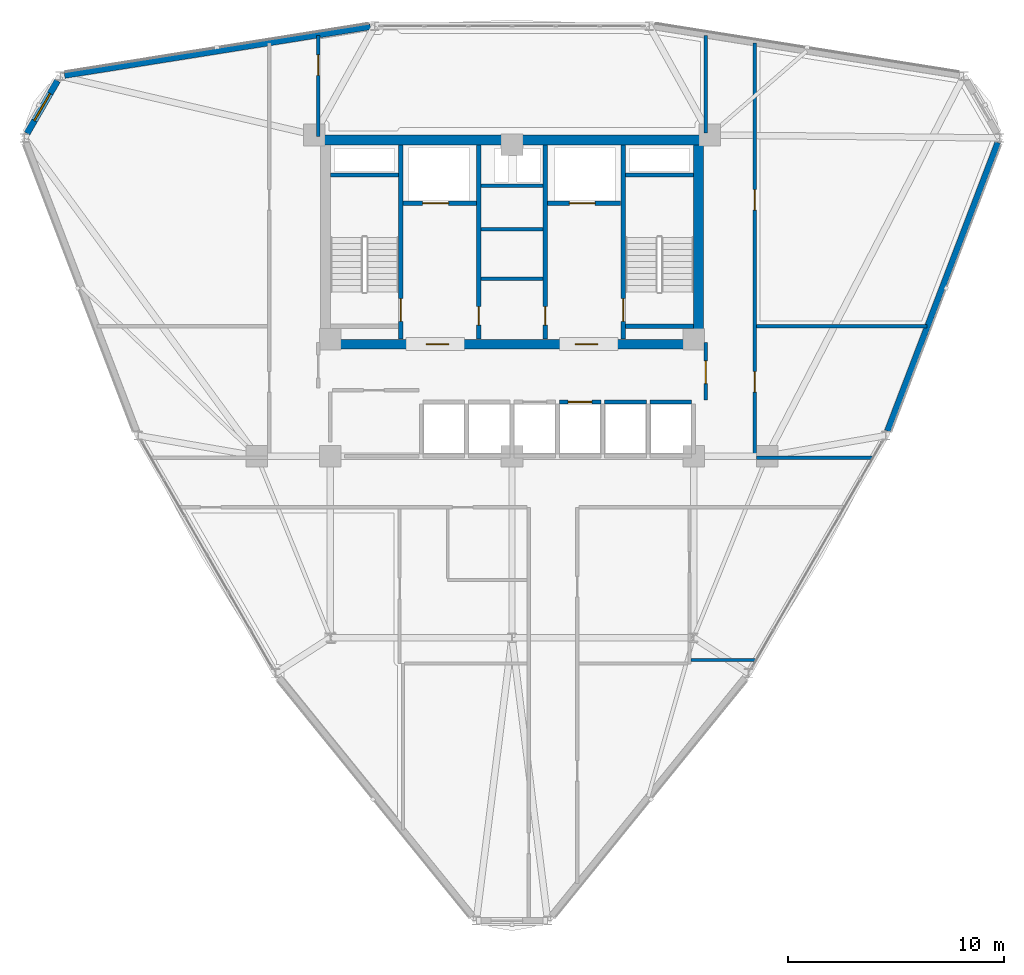
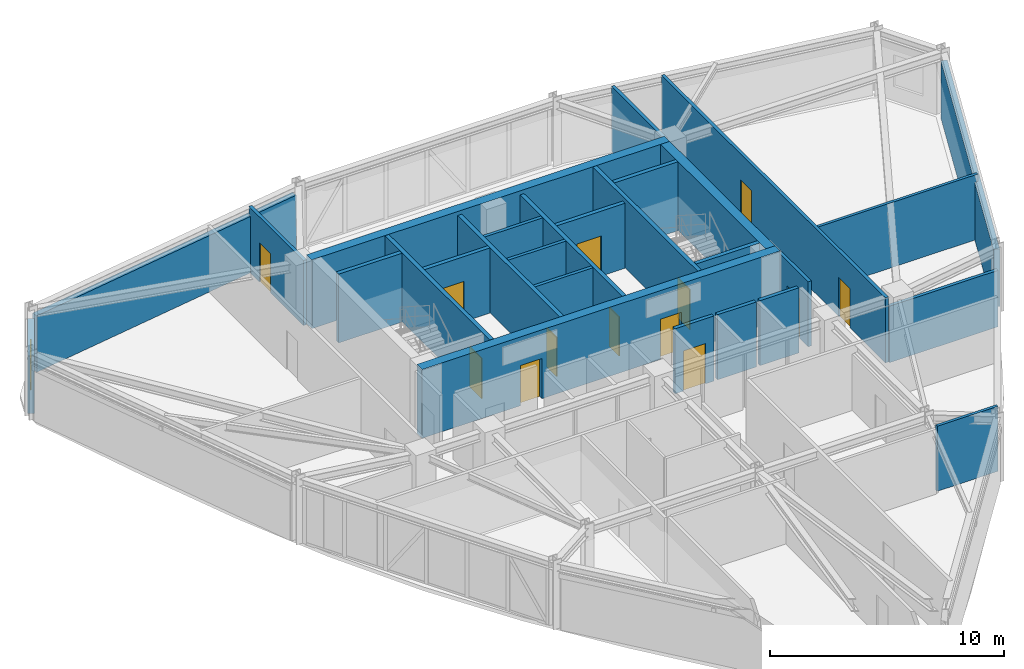
# One storey, part 11 of 14: 28 walls, 13 doors, 1 window, 14 openings.
"""IFC4 building model written with IfcOpenShell, lengths in metres."""

from ifc_helpers import new_model, si_unit, derived_unit, direction, frame, frame_2d, origin, place, context, subcontext, project, spatial, rectangle, extrude, material, layer, layer_set, type_object, element, fill, save


model = new_model("IFC4")

# Units and contexts
model_context = context("Model", 3, precision=1e-05, world=origin(), true_north=direction((0.0, 1.0)))
body_context = subcontext(model_context, "Body", "Model", "MODEL_VIEW")
ifc_project = project(units=[si_unit("LENGTHUNIT", "METRE"), si_unit("AREAUNIT", "SQUARE_METRE"), si_unit("VOLUMEUNIT", "CUBIC_METRE"), si_unit("PLANEANGLEUNIT", "RADIAN"), si_unit("MASSUNIT", "GRAM", prefix="KILO"), derived_unit("THERMALTRANSMITTANCEUNIT", [(si_unit("POWERUNIT", "WATT"), 1), (si_unit("LENGTHUNIT", "METRE"), -2), (si_unit("THERMODYNAMICTEMPERATUREUNIT", "KELVIN"), -1)])], contexts=[model_context])

# Site, building, storey
site_placement = place(None, origin())
site = spatial("IfcSite", under=ifc_project, at=site_placement, CompositionType="ELEMENT")
building_placement = place(site_placement, origin())
building = spatial("IfcBuilding", under=site, at=building_placement, Name="Korsvarv Bourse and Concert Hall", CompositionType="ELEMENT")
storey_placement = place(building_placement, frame((0.0, 0.0, 172.199951171875)))
storey = spatial("IfcBuildingStorey", under=building, at=storey_placement, Name="L44", CompositionType="ELEMENT", Elevation=172.199951171875)

# Wall, opening, door
ifc_material_1 = material(Name="Concrete C50/60", Category="concrete")
ifc_layer_1 = layer(ifc_material_1, 0.3798828125)
ifc_layer_set_1 = layer_set([ifc_layer_1], Name="Concrete C50/60")
wall_type_1 = type_object("IfcWallType", Name="WL-CORE-380", PredefinedType="SHEAR", material=ifc_layer_set_1)
wall_1_placement = place(storey_placement, frame((30.860107421875, 37.81005859375, 0.0), z_axis=(0.0, 0.0, 1.0), x_axis=(0.0, 1.0, 0.0)))
wall_1 = element("IfcWall", 1, at=wall_1_placement, inside=storey, type_object=wall_type_1, Name="L44 stair shaft structural wall W-L44-ST1-E", PredefinedType="SHEAR", context=body_context, shape_type="SweptSolid", body=[
    extrude(rectangle(XDim=8.97998046875, YDim=0.199951171875, at=frame_2d((4.489990234375, 0.0))), origin(), (0.0, 0.0, 1.0), 3.60009765625),
])
opening_1_placement = place(wall_1_placement, frame((0.820068359375, 0.0, 0.0)))
opening_1 = element("IfcOpeningElement", 2, at=opening_1_placement, cuts=wall_1, Name="Opening D-01", PredefinedType="OPENING", context=body_context, shape_type="SweptSolid", body=[
    extrude(rectangle(XDim=1.050048828125, YDim=2.10009765625, at=frame_2d((0.52490234375, 1.050048828125))), frame((0.0, 0.10986328125, 0.0), z_axis=(0.0, -1.0, 0.0), x_axis=(1.0, 0.0, 0.0)), (0.0, 0.0, 1.0), 0.219970703125),
])
ifc_material_2 = material(Name="Steel S355 fire door", Category="steel")
door_type_1 = type_object("IfcDoorType", Name="DR-FD60", OperationType="NOTDEFINED", PredefinedType="DOOR", material=ifc_material_2)
door_1_placement = place(opening_1_placement, origin())
door_1 = element("IfcDoor", 3, at=door_1_placement, inside=storey, type_object=door_type_1, Name="L44 interior door DR-L44-ST1", OperationType="SINGLE_SWING_LEFT", OverallHeight=2.10009765625, OverallWidth=1.050048828125, PredefinedType="DOOR", context=body_context, shape_type="SweptSolid", body=[
    extrude(rectangle(XDim=1.050048828125, YDim=2.10009765625, at=frame_2d((0.52490234375, 1.050048828125))), frame((0.0, 0.02490234375, 0.0), z_axis=(0.0, -1.0, 0.0), x_axis=(1.0, 0.0, 0.0)), (0.0, 0.0, 1.0), 0.050048828125),
])
fill(opening_1, door_1)

# Wall
wall_2_placement = place(storey_placement, frame((27.610107421875, 45.39990234375, 0.0), z_axis=(0.0, 0.0, 1.0), x_axis=(1.0, 0.0, 0.0)))
element("IfcWall", 4, at=wall_2_placement, inside=storey, type_object=wall_type_1, Name="L44 stair shaft structural wall W-L44-ST1-N", PredefinedType="SHEAR", context=body_context, shape_type="SweptSolid", body=[
    extrude(rectangle(XDim=3.139892578125, YDim=0.199951171875, at=frame_2d((1.56982421875, 0.0))), origin(), (0.0, 0.0, 1.0), 3.60009765625),
])

# Wall, opening, door
wall_3_placement = place(storey_placement, frame((41.139892578125, 37.81005859375, 0.0), z_axis=(0.0, 0.0, 1.0), x_axis=(0.0, 1.0, 0.0)))
wall_3 = element("IfcWall", 5, at=wall_3_placement, inside=storey, type_object=wall_type_1, Name="L44 stair shaft structural wall W-L44-ST2-W", PredefinedType="SHEAR", context=body_context, shape_type="SweptSolid", body=[
    extrude(rectangle(XDim=8.97998046875, YDim=0.199951171875, at=frame_2d((4.489990234375, 0.0))), origin(), (0.0, 0.0, 1.0), 3.60009765625),
])
opening_2_placement = place(wall_3_placement, frame((0.820068359375, 0.0, 0.0)))
opening_2 = element("IfcOpeningElement", 6, at=opening_2_placement, cuts=wall_3, Name="Opening D-01", PredefinedType="OPENING", context=body_context, shape_type="SweptSolid", body=[
    extrude(rectangle(XDim=1.050048828125, YDim=2.10009765625, at=frame_2d((0.52490234375, 1.050048828125))), frame((0.0, 0.10986328125, 0.0), z_axis=(0.0, -1.0, 0.0), x_axis=(1.0, 0.0, 0.0)), (0.0, 0.0, 1.0), 0.219970703125),
])
door_2_placement = place(opening_2_placement, frame((1.050048828125, 0.0, 0.0), z_axis=(0.0, 0.0, 1.0), x_axis=(-1.0, 0.0, 0.0)))
door_2 = element("IfcDoor", 7, at=door_2_placement, inside=storey, type_object=door_type_1, Name="L44 interior door DR-L44-ST2", OperationType="SINGLE_SWING_RIGHT", OverallHeight=2.10009765625, OverallWidth=1.050048828125, PredefinedType="DOOR", context=body_context, shape_type="SweptSolid", body=[
    extrude(rectangle(XDim=1.050048828125, YDim=2.10009765625, at=frame_2d((0.52490234375, 1.050048828125))), frame((0.0, 0.02490234375, 0.0), z_axis=(0.0, -1.0, 0.0), x_axis=(1.0, 0.0, 0.0)), (0.0, 0.0, 1.0), 0.050048828125),
])
fill(opening_2, door_2)

# Walls
for number, where, z_axis, x_axis, name in (
    (8, (41.25, 45.39990234375, 0.0), (0.0, 0.0, 1.0), (1.0, 0.0, 0.0), "L44 stair shaft structural wall W-L44-ST2-N"),
    (9, (41.25, 38.39990234375, 0.0), (0.0, 0.0, 1.0), (1.0, 0.0, 0.0), "L44 stair shaft structural wall W-L44-ST2-S"),
):
    element("IfcWall", number, at=place(storey_placement, frame(where, z_axis=z_axis, x_axis=x_axis)), inside=storey, type_object=wall_type_1, Name=name, PredefinedType="SHEAR", context=body_context, shape_type="SweptSolid", body=[
        extrude(rectangle(XDim=3.139892578125, YDim=0.199951171875, at=frame_2d((1.56982421875, 0.0))), origin(), (0.0, 0.0, 1.0), 3.60009765625),
    ])
ifc_material_3 = material(Name="Concrete C55/67", Category="concrete")
ifc_layer_2 = layer(ifc_material_3, 0.449951171875)
ifc_layer_set_2 = layer_set([ifc_layer_2], Name="Concrete C55/67")
wall_type_2 = type_object("IfcWallType", Name="WL-CORE-450", PredefinedType="SHEAR", material=ifc_layer_set_2)
wall_4_placement = place(storey_placement, frame((27.14990234375, 47.02490234375, 0.0), z_axis=(0.0, 0.0, 1.0), x_axis=(1.0, 0.0, 0.0)))
element("IfcWall", 10, at=wall_4_placement, inside=storey, type_object=wall_type_2, Name="L44 North Core Shear Wall", PredefinedType="SHEAR", context=body_context, shape_type="SweptSolid", body=[
    extrude(rectangle(XDim=17.7001953125, YDim=0.449951171875, at=frame_2d((8.85009765625, 0.0))), origin(), (0.0, 0.0, 1.0), 3.60009765625),
])

# Wall, openings, doors
wall_5_placement = place(storey_placement, frame((27.14990234375, 37.574951171875, 0.0), z_axis=(0.0, 0.0, 1.0), x_axis=(1.0, 0.0, 0.0)))
wall_5 = element("IfcWall", 11, at=wall_5_placement, inside=storey, type_object=wall_type_2, Name="L44 South Core Shear Wall", PredefinedType="SHEAR", context=body_context, shape_type="SweptSolid", body=[
    extrude(rectangle(XDim=17.7001953125, YDim=0.449951171875, at=frame_2d((8.85009765625, 0.0))), origin(), (0.0, 0.0, 1.0), 3.60009765625),
])
opening_3_placement = place(wall_5_placement, frame((4.875, 0.0, 0.0)))
opening_3 = element("IfcOpeningElement", 12, at=opening_3_placement, cuts=wall_5, Name="Opening D-01", PredefinedType="OPENING", context=body_context, shape_type="SweptSolid", body=[
    extrude(rectangle(XDim=1.050048828125, YDim=2.10009765625, at=frame_2d((0.52490234375, 1.050048828125))), frame((0.0, 0.23486328125, 0.0), z_axis=(0.0, -1.0, 0.0), x_axis=(1.0, 0.0, 0.0)), (0.0, 0.0, 1.0), 0.469970703125),
])
opening_4_placement = place(wall_5_placement, frame((11.77490234375, 0.0, 0.0)))
opening_4 = element("IfcOpeningElement", 13, at=opening_4_placement, cuts=wall_5, Name="Opening D-01", PredefinedType="OPENING", context=body_context, shape_type="SweptSolid", body=[
    extrude(rectangle(XDim=1.050048828125, YDim=2.10009765625, at=frame_2d((0.52490234375, 1.050048828125))), frame((0.0, 0.23486328125, 0.0), z_axis=(0.0, -1.0, 0.0), x_axis=(1.0, 0.0, 0.0)), (0.0, 0.0, 1.0), 0.469970703125),
])
door_3_placement = place(opening_3_placement, frame((1.050048828125, 0.0, 0.0), z_axis=(0.0, 0.0, 1.0), x_axis=(-1.0, 0.0, 0.0)))
door_3 = element("IfcDoor", 14, at=door_3_placement, inside=storey, type_object=door_type_1, Name="L44 firefighting lobby fire door DR-L44-FFLW", OperationType="SINGLE_SWING_RIGHT", OverallHeight=2.10009765625, OverallWidth=1.050048828125, PredefinedType="DOOR", context=body_context, shape_type="SweptSolid", body=[
    extrude(rectangle(XDim=1.050048828125, YDim=2.10009765625, at=frame_2d((0.52490234375, 1.050048828125))), frame((0.0, 0.02490234375, 0.0), z_axis=(0.0, -1.0, 0.0), x_axis=(1.0, 0.0, 0.0)), (0.0, 0.0, 1.0), 0.050048828125),
])
fill(opening_3, door_3)
door_4_placement = place(opening_4_placement, frame((1.050048828125, 0.0, 0.0), z_axis=(0.0, 0.0, 1.0), x_axis=(-1.0, 0.0, 0.0)))
door_4 = element("IfcDoor", 15, at=door_4_placement, inside=storey, type_object=door_type_1, Name="L44 firefighting lobby fire door DR-L44-FFLE", OperationType="SINGLE_SWING_LEFT", OverallHeight=2.10009765625, OverallWidth=1.050048828125, PredefinedType="DOOR", context=body_context, shape_type="SweptSolid", body=[
    extrude(rectangle(XDim=1.050048828125, YDim=2.10009765625, at=frame_2d((0.52490234375, 1.050048828125))), frame((0.0, 0.02490234375, 0.0), z_axis=(0.0, -1.0, 0.0), x_axis=(1.0, 0.0, 0.0)), (0.0, 0.0, 1.0), 0.050048828125),
])
fill(opening_4, door_4)

# Wall
wall_6_placement = place(storey_placement, frame((44.625, 37.800048828125, 0.0), z_axis=(0.0, 0.0, 1.0), x_axis=(0.0, 1.0, 0.0)))
element("IfcWall", 16, at=wall_6_placement, inside=storey, type_object=wall_type_2, Name="L44 East Core Shear Wall", PredefinedType="SHEAR", context=body_context, shape_type="SweptSolid", body=[
    extrude(rectangle(XDim=9.0, YDim=0.449951171875, at=frame_2d((4.5, 0.0))), origin(), (0.0, 0.0, 1.0), 3.60009765625),
])

# Wall, opening, window
ifc_material_4 = material(Name="Precast concrete C45/55 with terracotta rainscreen", Category="concrete")
ifc_layer_3 = layer(ifc_material_4, 0.300048828125)
ifc_layer_set_3 = layer_set([ifc_layer_3], Name="Precast concrete C45/55 with terracotta rainscreen")
wall_type_3 = type_object("IfcWallType", Name="WL-EXT-TC1", PredefinedType="SOLIDWALL", material=ifc_layer_set_3)
wall_7_placement = place(storey_placement, frame((14.974609375, 49.761962890625, 0.0), z_axis=(0.0, 0.0, 1.0), x_axis=(-0.499978056798, -0.866038072327, 0.0)))
wall_7 = element("IfcWall", 17, at=wall_7_placement, inside=storey, type_object=wall_type_3, Name="L44 terracotta exterior wall EW-L44-B05", PredefinedType="SOLIDWALL", context=body_context, shape_type="SweptSolid", body=[
    extrude(rectangle(XDim=2.811279296875, YDim=0.300048828125, at=frame_2d((1.40576171875, 0.0))), origin(), (0.0, 0.0, 1.0), 3.010009765625),
])
opening_5_placement = place(wall_7_placement, frame((0.6806640625, 0.0, 0.75)))
opening_5 = element("IfcOpeningElement", 18, at=opening_5_placement, cuts=wall_7, Name="Opening W-02", PredefinedType="OPENING", context=body_context, shape_type="SweptSolid", body=[
    extrude(rectangle(XDim=1.449951171875, YDim=1.64990234375, at=frame_2d((0.72509765625, 0.824951171875))), frame((0.0, 0.16015625, 0.0), z_axis=(0.0, -1.0, 0.0), x_axis=(1.0, 0.0, 0.0)), (0.0, 0.0, 1.0), 0.320068359375),
])
ifc_material_5 = material(Name="Thermally broken aluminium frame with triple low-E glass", Category="glass")
window_type = type_object("IfcWindowType", Name="WIN-TW2", PartitioningType="SINGLE_PANEL", PredefinedType="WINDOW", material=ifc_material_5)
window_placement = place(opening_5_placement, origin())
window = element("IfcWindow", 19, at=window_placement, inside=storey, type_object=window_type, Name="L44 punched facade window W-02", OverallHeight=1.64990234375, OverallWidth=1.449951171875, PartitioningType="SINGLE_PANEL", PredefinedType="WINDOW", context=body_context, shape_type="SweptSolid", body=[
    extrude(rectangle(XDim=1.449951171875, YDim=1.64990234375, at=frame_2d((0.72509765625, 0.824951171875))), frame((0.0, 0.030029296875, 0.0), z_axis=(0.0, -1.0, 0.0), x_axis=(1.0, 0.0, 0.0)), (0.0, 0.0, 1.0), 0.06005859375),
])
fill(opening_5, window)

# Walls
ifc_material_6 = material(Name="Precast concrete C45/55 with fluted terracotta pier", Category="concrete")
ifc_layer_4 = layer(ifc_material_6, 0.280029296875)
ifc_layer_set_4 = layer_set([ifc_layer_4], Name="Precast concrete C45/55 with fluted terracotta pier")
wall_type_4 = type_object("IfcWallType", Name="WL-EXT-TC2", PredefinedType="SOLIDWALL", material=ifc_layer_set_4)
wall_8_placement = place(storey_placement, frame((29.446044921875, 52.2626953125, 0.0), z_axis=(0.0, 0.0, 1.0), x_axis=(-0.987528363291, -0.157441200757, 0.0)))
element("IfcWall", 20, at=wall_8_placement, inside=storey, type_object=wall_type_4, Name="L44 terracotta exterior wall EW-L44-B04", PredefinedType="SOLIDWALL", context=body_context, shape_type="SweptSolid", body=[
    extrude(rectangle(XDim=14.31884765625, YDim=0.280029296875, at=frame_2d((7.159423828125, 0.0))), origin(), (0.0, 0.0, 1.0), 2.949951171875),
])
wall_9_placement = place(storey_placement, frame((53.3671875, 33.560791015625, 0.0), z_axis=(0.0, 0.0, 1.0), x_axis=(0.357407179744, 0.933948664471, 0.0)))
element("IfcWall", 21, at=wall_9_placement, inside=storey, type_object=wall_type_4, Name="L44 terracotta exterior wall EW-L44-B12", PredefinedType="SOLIDWALL", context=body_context, shape_type="SweptSolid", body=[
    extrude(rectangle(XDim=14.283935546875, YDim=0.280029296875, at=frame_2d((7.14208984375, 0.0))), origin(), (0.0, 0.0, 1.0), 3.010009765625),
])

# Wall, opening, door
ifc_material_7 = material(Name="Reinforced concrete blockwork C35/45 fire wall", Category="concrete")
ifc_layer_5 = layer(ifc_material_7, 0.199951171875)
ifc_layer_set_5 = layer_set([ifc_layer_5], Name="Reinforced concrete blockwork C35/45 fire wall")
wall_type_5 = type_object("IfcWallType", Name="WL-INT-EI120", PredefinedType="PARTITIONING", material=ifc_layer_set_5)
wall_10_placement = place(storey_placement, frame((30.969970703125, 44.10009765625, 0.0), z_axis=(0.0, 0.0, 1.0), x_axis=(1.0, 0.0, 0.0)))
wall_10 = element("IfcWall", 22, at=wall_10_placement, inside=storey, type_object=wall_type_5, Name="L44 interior partition wall W-L44-FF1-S", PredefinedType="PARTITIONING", context=body_context, shape_type="SweptSolid", body=[
    extrude(rectangle(XDim=3.380126953125, YDim=0.199951171875, at=frame_2d((1.68994140625, 0.0))), origin(), (0.0, 0.0, 1.0), 3.400146484375),
])
opening_6_placement = place(wall_10_placement, frame((0.89990234375, 0.0, 0.0)))
opening_6 = element("IfcOpeningElement", 23, at=opening_6_placement, cuts=wall_10, Name="Opening LD-1", PredefinedType="OPENING", context=body_context, shape_type="SweptSolid", body=[
    extrude(rectangle(XDim=1.199951171875, YDim=2.10009765625, at=frame_2d((0.60009765625, 1.050048828125))), frame((0.0, 0.10986328125, 0.0), z_axis=(0.0, -1.0, 0.0), x_axis=(1.0, 0.0, 0.0)), (0.0, 0.0, 1.0), 0.219970703125),
])
ifc_material_8 = material(Name="Stainless Steel S355 firefighting lift landing door", Category="steel")
door_type_2 = type_object("IfcDoorType", Name="DR-LIFT-FF", OperationType="DOUBLE_DOOR_SLIDING", PredefinedType="DOOR", material=ifc_material_8)
door_5_placement = place(opening_6_placement, origin())
door_5 = element("IfcDoor", 24, at=door_5_placement, inside=storey, type_object=door_type_2, Name="L44 lift sliding landing door LD-L44-FF1", OperationType="DOUBLE_DOOR_SLIDING", OverallHeight=2.10009765625, OverallWidth=1.199951171875, PredefinedType="DOOR", context=body_context, shape_type="SweptSolid", body=[
    extrude(rectangle(XDim=1.199951171875, YDim=2.10009765625, at=frame_2d((0.60009765625, 1.050048828125))), frame((0.0, 0.02490234375, 0.0), z_axis=(0.0, -1.0, 0.0), x_axis=(1.0, 0.0, 0.0)), (0.0, 0.0, 1.0), 0.050048828125),
])
fill(opening_6, door_5)

wall_11_placement = place(storey_placement, frame((37.64990234375, 44.10009765625, 0.0), z_axis=(0.0, 0.0, 1.0), x_axis=(1.0, 0.0, 0.0)))
wall_11 = element("IfcWall", 25, at=wall_11_placement, inside=storey, type_object=wall_type_5, Name="L44 interior partition wall W-L44-FF2-S", PredefinedType="PARTITIONING", context=body_context, shape_type="SweptSolid", body=[
    extrude(rectangle(XDim=3.380126953125, YDim=0.199951171875, at=frame_2d((1.68994140625, 0.0))), origin(), (0.0, 0.0, 1.0), 3.400146484375),
])
opening_7_placement = place(wall_11_placement, frame((1.0, 0.0, 0.0)))
opening_7 = element("IfcOpeningElement", 26, at=opening_7_placement, cuts=wall_11, Name="Opening LD-1", PredefinedType="OPENING", context=body_context, shape_type="SweptSolid", body=[
    extrude(rectangle(XDim=1.199951171875, YDim=2.10009765625, at=frame_2d((0.60009765625, 1.050048828125))), frame((0.0, 0.10986328125, 0.0), z_axis=(0.0, -1.0, 0.0), x_axis=(1.0, 0.0, 0.0)), (0.0, 0.0, 1.0), 0.219970703125),
])
door_6_placement = place(opening_7_placement, origin())
door_6 = element("IfcDoor", 27, at=door_6_placement, inside=storey, type_object=door_type_2, Name="L44 lift sliding landing door LD-L44-FF2", OperationType="DOUBLE_DOOR_SLIDING", OverallHeight=2.10009765625, OverallWidth=1.199951171875, PredefinedType="DOOR", context=body_context, shape_type="SweptSolid", body=[
    extrude(rectangle(XDim=1.199951171875, YDim=2.10009765625, at=frame_2d((0.60009765625, 1.050048828125))), frame((0.0, 0.02490234375, 0.0), z_axis=(0.0, -1.0, 0.0), x_axis=(1.0, 0.0, 0.0)), (0.0, 0.0, 1.0), 0.050048828125),
])
fill(opening_7, door_6)

wall_12_placement = place(storey_placement, frame((34.4599609375, 37.81005859375, 0.0), z_axis=(0.0, 0.0, 1.0), x_axis=(0.0, 1.0, 0.0)))
wall_12 = element("IfcWall", 28, at=wall_12_placement, inside=storey, type_object=wall_type_5, Name="L44 interior partition wall W-L44-CSB-W", PredefinedType="PARTITIONING", context=body_context, shape_type="SweptSolid", body=[
    extrude(rectangle(XDim=8.97998046875, YDim=0.199951171875, at=frame_2d((4.489990234375, 0.0))), origin(), (0.0, 0.0, 1.0), 3.400146484375),
])
opening_8_placement = place(wall_12_placement, frame((0.64990234375, 0.0, 0.0)))
opening_8 = element("IfcOpeningElement", 29, at=opening_8_placement, cuts=wall_12, Name="Opening D-05", PredefinedType="OPENING", context=body_context, shape_type="SweptSolid", body=[
    extrude(rectangle(XDim=0.85009765625, YDim=2.050048828125, at=frame_2d((0.425048828125, 1.02490234375))), frame((0.0, 0.10986328125, 0.0), z_axis=(0.0, -1.0, 0.0), x_axis=(1.0, 0.0, 0.0)), (0.0, 0.0, 1.0), 0.219970703125),
])
door_type_3 = type_object("IfcDoorType", Name="DR-FD60-850X2050", OperationType="NOTDEFINED", PredefinedType="DOOR", material=ifc_material_2)
door_7_placement = place(opening_8_placement, frame((0.85009765625, 0.0, 0.0), z_axis=(0.0, 0.0, 1.0), x_axis=(-1.0, 0.0, 0.0)))
door_7 = element("IfcDoor", 30, at=door_7_placement, inside=storey, type_object=door_type_3, Name="L44 interior door DR-L44-CSB1", OperationType="SINGLE_SWING_LEFT", OverallHeight=2.050048828125, OverallWidth=0.85009765625, PredefinedType="DOOR", context=body_context, shape_type="SweptSolid", body=[
    extrude(rectangle(XDim=0.85009765625, YDim=2.050048828125, at=frame_2d((0.425048828125, 1.02490234375))), frame((0.0, 0.02490234375, 0.0), z_axis=(0.0, -1.0, 0.0), x_axis=(1.0, 0.0, 0.0)), (0.0, 0.0, 1.0), 0.050048828125),
])
fill(opening_8, door_7)

wall_13_placement = place(storey_placement, frame((37.5400390625, 37.81005859375, 0.0), z_axis=(0.0, 0.0, 1.0), x_axis=(0.0, 1.0, 0.0)))
wall_13 = element("IfcWall", 31, at=wall_13_placement, inside=storey, type_object=wall_type_5, Name="L44 interior partition wall W-L44-CSB-E", PredefinedType="PARTITIONING", context=body_context, shape_type="SweptSolid", body=[
    extrude(rectangle(XDim=8.97998046875, YDim=0.199951171875, at=frame_2d((4.489990234375, 0.0))), origin(), (0.0, 0.0, 1.0), 3.400146484375),
])
opening_9_placement = place(wall_13_placement, frame((0.64990234375, 0.0, 0.0)))
opening_9 = element("IfcOpeningElement", 32, at=opening_9_placement, cuts=wall_13, Name="Opening D-05", PredefinedType="OPENING", context=body_context, shape_type="SweptSolid", body=[
    extrude(rectangle(XDim=0.85009765625, YDim=2.050048828125, at=frame_2d((0.425048828125, 1.02490234375))), frame((0.0, 0.10986328125, 0.0), z_axis=(0.0, -1.0, 0.0), x_axis=(1.0, 0.0, 0.0)), (0.0, 0.0, 1.0), 0.219970703125),
])
door_8_placement = place(opening_9_placement, origin())
door_8 = element("IfcDoor", 33, at=door_8_placement, inside=storey, type_object=door_type_3, Name="L44 interior door DR-L44-CSB2", OperationType="SINGLE_SWING_RIGHT", OverallHeight=2.050048828125, OverallWidth=0.85009765625, PredefinedType="DOOR", context=body_context, shape_type="SweptSolid", body=[
    extrude(rectangle(XDim=0.85009765625, YDim=2.050048828125, at=frame_2d((0.425048828125, 1.02490234375))), frame((0.0, 0.02490234375, 0.0), z_axis=(0.0, -1.0, 0.0), x_axis=(1.0, 0.0, 0.0)), (0.0, 0.0, 1.0), 0.050048828125),
])
fill(opening_9, door_8)

# Walls
ifc_material_9 = material(Name="Double-stud fire-rated acoustic partition", Category="gypsum")
ifc_layer_6 = layer(ifc_material_9, 0.159912109375)
ifc_layer_set_6 = layer_set([ifc_layer_6], Name="Double-stud fire-rated acoustic partition")
wall_type_6 = type_object("IfcWallType", Name="WL-INT-EI60", PredefinedType="PARTITIONING", material=ifc_layer_set_6)
for number, where, z_axis, x_axis, name in (
    (34, (34.570068359375, 40.60009765625, 0.0), (0.0, 0.0, 1.0), (1.0, 0.0, 0.0), "L44 interior partition wall W-L44-K1"),
    (35, (34.570068359375, 42.89990234375, 0.0), (0.0, 0.0, 1.0), (1.0, 0.0, 0.0), "L44 interior partition wall W-L44-K2"),
    (36, (34.570068359375, 44.89990234375, 0.0), (0.0, 0.0, 1.0), (1.0, 0.0, 0.0), "L44 interior partition wall W-L44-K3"),
):
    element("IfcWall", number, at=place(storey_placement, frame(where, z_axis=z_axis, x_axis=x_axis)), inside=storey, type_object=wall_type_6, Name=name, PredefinedType="PARTITIONING", context=body_context, shape_type="SweptSolid", body=[
        extrude(rectangle(XDim=2.85986328125, YDim=0.159912109375, at=frame_2d((1.429931640625, 0.0))), origin(), (0.0, 0.0, 1.0), 3.400146484375),
    ])

# Wall, opening, door
wall_14_placement = place(storey_placement, frame((44.9599609375, 35.0, 0.0), z_axis=(0.0, 0.0, 1.0), x_axis=(0.0, 1.0, 0.0)))
wall_14 = element("IfcWall", 37, at=wall_14_placement, inside=storey, type_object=wall_type_6, Name="L44 interior partition wall W-L44-LOB-E", PredefinedType="PARTITIONING", context=body_context, shape_type="SweptSolid", body=[
    extrude(rectangle(XDim=2.64990234375, YDim=0.159912109375, at=frame_2d((1.324951171875, 0.0))), origin(), (0.0, 0.0, 1.0), 3.400146484375),
])
opening_10_placement = place(wall_14_placement, frame((0.75, 0.0, 0.0)))
opening_10 = element("IfcOpeningElement", 38, at=opening_10_placement, cuts=wall_14, Name="Opening D-01", PredefinedType="OPENING", context=body_context, shape_type="SweptSolid", body=[
    extrude(rectangle(XDim=1.050048828125, YDim=2.10009765625, at=frame_2d((0.52490234375, 1.050048828125))), frame((0.0, 0.08984375, 0.0), z_axis=(0.0, -1.0, 0.0), x_axis=(1.0, 0.0, 0.0)), (0.0, 0.0, 1.0), 0.179931640625),
])
door_9_placement = place(opening_10_placement, origin())
door_9 = element("IfcDoor", 39, at=door_9_placement, inside=storey, type_object=door_type_1, Name="L44 interior door DR-L44-LOBE", OperationType="SINGLE_SWING_LEFT", OverallHeight=2.10009765625, OverallWidth=1.050048828125, PredefinedType="DOOR", context=body_context, shape_type="SweptSolid", body=[
    extrude(rectangle(XDim=1.050048828125, YDim=2.10009765625, at=frame_2d((0.52490234375, 1.050048828125))), frame((0.0, 0.02490234375, 0.0), z_axis=(0.0, -1.0, 0.0), x_axis=(1.0, 0.0, 0.0)), (0.0, 0.0, 1.0), 0.050048828125),
])
fill(opening_10, door_9)

# Wall, openings, doors
wall_15_placement = place(storey_placement, frame((47.22509765625, 32.31005859375, 0.0), z_axis=(0.0, 0.0, 1.0), x_axis=(0.0, 1.0, 0.0)))
wall_15 = element("IfcWall", 40, at=wall_15_placement, inside=storey, type_object=wall_type_6, Name="L44 interior partition wall W-L44-TCOR-01", PredefinedType="PARTITIONING", context=body_context, shape_type="SweptSolid", body=[
    extrude(rectangle(XDim=19.187744140625, YDim=0.159912109375, at=frame_2d((9.59375, 0.0))), origin(), (0.0, 0.0, 1.0), 3.400146484375),
])
opening_11_placement = place(wall_15_placement, frame((3.044189453125, 0.0, 0.0)))
opening_11 = element("IfcOpeningElement", 41, at=opening_11_placement, cuts=wall_15, Name="Opening D-02", PredefinedType="OPENING", context=body_context, shape_type="SweptSolid", body=[
    extrude(rectangle(XDim=0.949951171875, YDim=2.050048828125, at=frame_2d((0.47509765625, 1.02490234375))), frame((0.0, 0.08984375, 0.0), z_axis=(0.0, -1.0, 0.0), x_axis=(1.0, 0.0, 0.0)), (0.0, 0.0, 1.0), 0.179931640625),
])
opening_12_placement = place(wall_15_placement, frame((11.46337890625, 0.0, 0.0)))
opening_12 = element("IfcOpeningElement", 42, at=opening_12_placement, cuts=wall_15, Name="Opening D-02", PredefinedType="OPENING", context=body_context, shape_type="SweptSolid", body=[
    extrude(rectangle(XDim=0.949951171875, YDim=2.050048828125, at=frame_2d((0.47509765625, 1.02490234375))), frame((0.0, 0.08984375, 0.0), z_axis=(0.0, -1.0, 0.0), x_axis=(1.0, 0.0, 0.0)), (0.0, 0.0, 1.0), 0.179931640625),
])
ifc_material_10 = material(Name="Timber and steel acoustic fire door", Category="wood")
door_type_4 = type_object("IfcDoorType", Name="DR-FD30", OperationType="NOTDEFINED", PredefinedType="DOOR", material=ifc_material_10)
door_10_placement = place(opening_11_placement, origin())
door_10 = element("IfcDoor", 43, at=door_10_placement, inside=storey, type_object=door_type_4, Name="L44 interior door DR-L44-TCOR-CD81", OperationType="SINGLE_SWING_RIGHT", OverallHeight=2.050048828125, OverallWidth=0.949951171875, PredefinedType="DOOR", context=body_context, shape_type="SweptSolid", body=[
    extrude(rectangle(XDim=0.949951171875, YDim=2.050048828125, at=frame_2d((0.47509765625, 1.02490234375))), frame((0.0, 0.02490234375, 0.0), z_axis=(0.0, -1.0, 0.0), x_axis=(1.0, 0.0, 0.0)), (0.0, 0.0, 1.0), 0.050048828125),
])
fill(opening_11, door_10)
door_11_placement = place(opening_12_placement, origin())
door_11 = element("IfcDoor", 44, at=door_11_placement, inside=storey, type_object=door_type_4, Name="L44 interior door DR-L44-TCOR-RM22", OperationType="SINGLE_SWING_LEFT", OverallHeight=2.050048828125, OverallWidth=0.949951171875, PredefinedType="DOOR", context=body_context, shape_type="SweptSolid", body=[
    extrude(rectangle(XDim=0.949951171875, YDim=2.050048828125, at=frame_2d((0.47509765625, 1.02490234375))), frame((0.0, 0.02490234375, 0.0), z_axis=(0.0, -1.0, 0.0), x_axis=(1.0, 0.0, 0.0)), (0.0, 0.0, 1.0), 0.050048828125),
])
fill(opening_12, door_11)

# Wall
wall_16_placement = place(storey_placement, frame((47.306884765625, 32.31494140625, 0.0), z_axis=(0.0, 0.0, 1.0), x_axis=(1.0, 0.0, 0.0)))
element("IfcWall", 45, at=wall_16_placement, inside=storey, type_object=wall_type_6, Name="L44 interior partition wall W-L44-TCOR-07", PredefinedType="PARTITIONING", context=body_context, shape_type="SweptSolid", body=[
    extrude(rectangle(XDim=5.3623046875, YDim=0.159912109375, at=frame_2d((2.68115234375, 0.0))), origin(), (0.0, 0.0, 1.0), 2.949951171875),
])

# Wall, opening, door
wall_17_placement = place(storey_placement, frame((27.034912109375, 47.18310546875, 0.0), z_axis=(0.0, 0.0, 1.0), x_axis=(0.0, 1.0, 0.0)))
wall_17 = element("IfcWall", 46, at=wall_17_placement, inside=storey, type_object=wall_type_6, Name="L44 interior partition wall W-L44-TCOR-09", PredefinedType="PARTITIONING", context=body_context, shape_type="SweptSolid", body=[
    extrude(rectangle(XDim=4.675048828125, YDim=0.159912109375, at=frame_2d((2.33740234375, 0.0))), origin(), (0.0, 0.0, 1.0), 3.400146484375),
])
opening_13_placement = place(wall_17_placement, frame((2.82666015625, 0.0, 0.0)))
opening_13 = element("IfcOpeningElement", 47, at=opening_13_placement, cuts=wall_17, Name="Opening D-02", PredefinedType="OPENING", context=body_context, shape_type="SweptSolid", body=[
    extrude(rectangle(XDim=0.949951171875, YDim=2.050048828125, at=frame_2d((0.47509765625, 1.02490234375))), frame((0.0, 0.08984375, 0.0), z_axis=(0.0, -1.0, 0.0), x_axis=(1.0, 0.0, 0.0)), (0.0, 0.0, 1.0), 0.179931640625),
])
door_12_placement = place(opening_13_placement, origin())
door_12 = element("IfcDoor", 48, at=door_12_placement, inside=storey, type_object=door_type_4, Name="L44 interior door DR-L44-TCOR-RM66", OperationType="SINGLE_SWING_LEFT", OverallHeight=2.050048828125, OverallWidth=0.949951171875, PredefinedType="DOOR", context=body_context, shape_type="SweptSolid", body=[
    extrude(rectangle(XDim=0.949951171875, YDim=2.050048828125, at=frame_2d((0.47509765625, 1.02490234375))), frame((0.0, 0.02490234375, 0.0), z_axis=(0.0, -1.0, 0.0), x_axis=(1.0, 0.0, 0.0)), (0.0, 0.0, 1.0), 0.050048828125),
])
fill(opening_13, door_12)

# Wall
wall_18_placement = place(storey_placement, frame((44.965087890625, 47.340087890625, 0.0), z_axis=(0.0, 0.0, 1.0), x_axis=(0.0, 1.0, 0.0)))
element("IfcWall", 49, at=wall_18_placement, inside=storey, type_object=wall_type_6, Name="L44 interior partition wall W-L44-TCOR-10", PredefinedType="PARTITIONING", context=body_context, shape_type="SweptSolid", body=[
    extrude(rectangle(XDim=4.51806640625, YDim=0.159912109375, at=frame_2d((2.259033203125, 0.0))), origin(), (0.0, 0.0, 1.0), 3.400146484375),
])

# Wall, opening, door
ifc_material_11 = material(Name="Gypsum-clad autoclaved concrete shaft wall C30/37", Category="concrete")
ifc_layer_7 = layer(ifc_material_11, 0.179931640625)
ifc_layer_set_7 = layer_set([ifc_layer_7], Name="Gypsum-clad autoclaved concrete shaft wall C30/37")
wall_type_7 = type_object("IfcWallType", Name="WL-INT-EI90", PredefinedType="PARTITIONING", material=ifc_layer_set_7)
wall_19_placement = place(storey_placement, frame((38.18994140625, 34.89990234375, 0.0), z_axis=(0.0, 0.0, 1.0), x_axis=(1.0, 0.0, 0.0)))
wall_19 = element("IfcWall", 50, at=wall_19_placement, inside=storey, type_object=wall_type_7, Name="L44 interior partition wall W-L44-SHFN-PH2", PredefinedType="PARTITIONING", context=body_context, shape_type="SweptSolid", body=[
    extrude(rectangle(XDim=1.920166015625, YDim=0.179931640625, at=frame_2d((0.9599609375, 0.0))), origin(), (0.0, 0.0, 1.0), 3.400146484375),
])
opening_14_placement = place(wall_19_placement, frame((0.409912109375, 0.0, 0.0)))
opening_14 = element("IfcOpeningElement", 51, at=opening_14_placement, cuts=wall_19, Name="Opening LD-2", PredefinedType="OPENING", context=body_context, shape_type="SweptSolid", body=[
    extrude(rectangle(XDim=1.10009765625, YDim=2.10009765625, at=frame_2d((0.550048828125, 1.050048828125))), frame((0.0, 0.10009765625, 0.0), z_axis=(0.0, -1.0, 0.0), x_axis=(1.0, 0.0, 0.0)), (0.0, 0.0, 1.0), 0.199951171875),
])
ifc_material_12 = material(Name="Brushed stainless Steel S355 lift landing door", Category="steel")
door_type_5 = type_object("IfcDoorType", Name="DR-LIFT-P", OperationType="DOUBLE_DOOR_SLIDING", PredefinedType="DOOR", material=ifc_material_12)
door_13_placement = place(opening_14_placement, origin())
door_13 = element("IfcDoor", 52, at=door_13_placement, inside=storey, type_object=door_type_5, Name="L44 lift sliding landing door LD-L44-PH2", OperationType="DOUBLE_DOOR_SLIDING", OverallHeight=2.10009765625, OverallWidth=1.10009765625, PredefinedType="DOOR", context=body_context, shape_type="SweptSolid", body=[
    extrude(rectangle(XDim=1.10009765625, YDim=2.10009765625, at=frame_2d((0.550048828125, 1.050048828125))), frame((0.0, 0.02490234375, 0.0), z_axis=(0.0, -1.0, 0.0), x_axis=(1.0, 0.0, 0.0)), (0.0, 0.0, 1.0), 0.050048828125),
])
fill(opening_14, door_13)

# Walls
wall_20_placement = place(storey_placement, frame((40.2900390625, 34.89990234375, 0.0), z_axis=(0.0, 0.0, 1.0), x_axis=(1.0, 0.0, 0.0)))
element("IfcWall", 53, at=wall_20_placement, inside=storey, type_object=wall_type_7, Name="L44 interior partition wall W-L44-SHFN-PO1", PredefinedType="PARTITIONING", context=body_context, shape_type="SweptSolid", body=[
    extrude(rectangle(XDim=1.919921875, YDim=0.179931640625, at=frame_2d((0.9599609375, 0.0))), origin(), (0.0, 0.0, 1.0), 3.400146484375),
])
wall_21_placement = place(storey_placement, frame((42.389892578125, 34.89990234375, 0.0), z_axis=(0.0, 0.0, 1.0), x_axis=(1.0, 0.0, 0.0)))
element("IfcWall", 54, at=wall_21_placement, inside=storey, type_object=wall_type_7, Name="L44 interior partition wall W-L44-SHFN-PO2", PredefinedType="PARTITIONING", context=body_context, shape_type="SweptSolid", body=[
    extrude(rectangle(XDim=1.920166015625, YDim=0.179931640625, at=frame_2d((0.9599609375, 0.0))), origin(), (0.0, 0.0, 1.0), 3.400146484375),
])
ifc_material_13 = material(Name="Insulated steel-stud office acoustic partition", Category="gypsum")
ifc_layer_8 = layer(ifc_material_13, 0.139892578125)
ifc_layer_set_8 = layer_set([ifc_layer_8], Name="Insulated steel-stud office acoustic partition")
wall_type_8 = type_object("IfcWallType", Name="WL-INT-P1", PredefinedType="PARTITIONING", material=ifc_layer_set_8)
wall_22_placement = place(storey_placement, frame((47.306884765625, 38.405029296875, 0.0), z_axis=(0.0, 0.0, 1.0), x_axis=(1.0, 0.0, 0.0)))
element("IfcWall", 55, at=wall_22_placement, inside=storey, type_object=wall_type_8, Name="L44 interior partition wall W-L44-TCOR-11", PredefinedType="PARTITIONING", context=body_context, shape_type="SweptSolid", body=[
    extrude(rectangle(XDim=7.89404296875, YDim=0.139892578125, at=frame_2d((3.947021484375, 0.0))), origin(), (0.0, 0.0, 1.0), 3.400146484375),
])
wall_23_placement = place(storey_placement, frame((44.277099609375, 22.964111328125, 0.0), z_axis=(0.0, 0.0, 1.0), x_axis=(0.999999946802, 0.00032618444, 0.0)))
element("IfcWall", 56, at=wall_23_placement, inside=storey, type_object=wall_type_8, Name="L44 interior partition wall W-L44-TCOR-20", PredefinedType="PARTITIONING", context=body_context, shape_type="SweptSolid", body=[
    extrude(rectangle(XDim=2.993896484375, YDim=0.139892578125, at=frame_2d((1.4970703125, 0.0))), origin(), (0.0, 0.0, 1.0), 3.400146484375),
])

save(model, "model.ifc")
